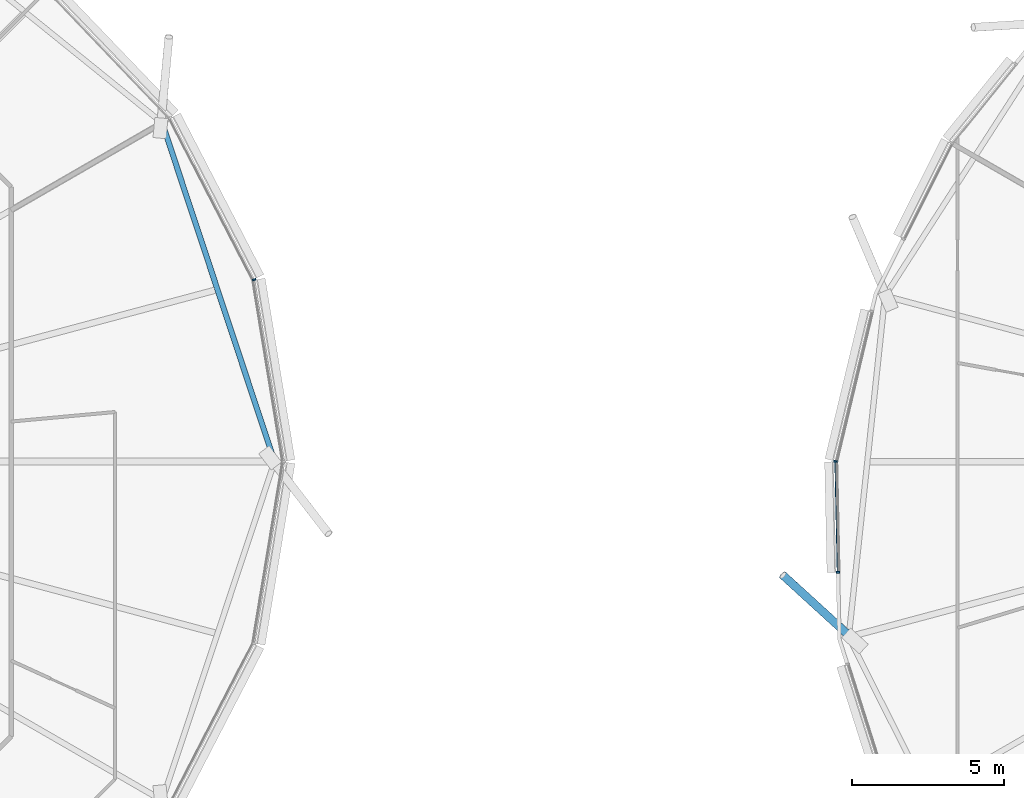
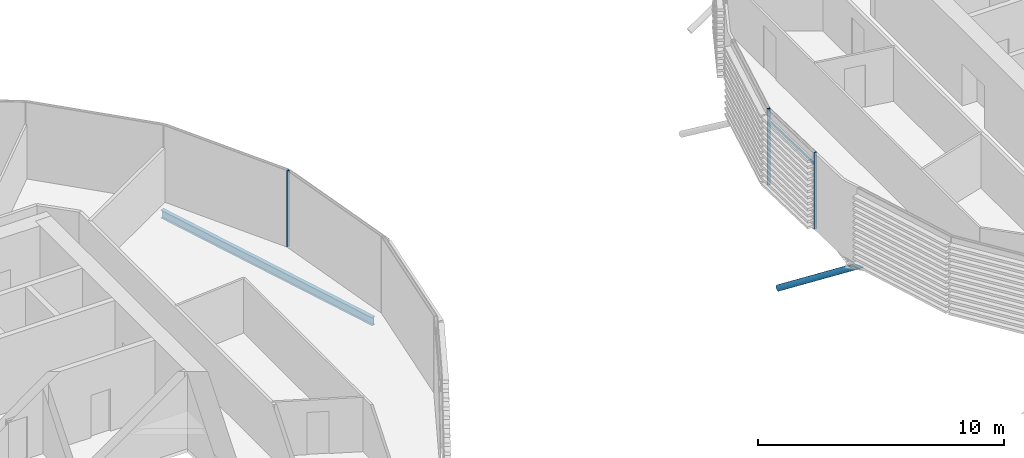
# One storey, part 8 of 39: 5 members, 1 beam, 2 elements without a shape of their own.
"""IFC4 building model written with IfcOpenShell, lengths in metres."""

from ifc_helpers import new_model, si_unit, direction, frame, origin, origin_2d, place, context, subcontext, project, spatial, rectangle, hollow_circle, i_section, extrude, clip, halfspace, material, material_profile, profile_set, type_object, element, aggregate, save


model = new_model("IFC4")

# Units and contexts
model_context = context("Model", 3, precision=1e-05, world=origin(), true_north=direction((0.0, 1.0)))
body_context = subcontext(model_context, "Body", "Model", "MODEL_VIEW")
ifc_project = project(units=[si_unit("LENGTHUNIT", "METRE"), si_unit("AREAUNIT", "SQUARE_METRE"), si_unit("VOLUMEUNIT", "CUBIC_METRE"), si_unit("PLANEANGLEUNIT", "RADIAN"), si_unit("MASSUNIT", "GRAM", prefix="KILO")], contexts=[model_context])

# Site, building, storey
site_placement = place(None, origin())
site = spatial("IfcSite", under=ifc_project, at=site_placement, CompositionType="ELEMENT")
building_placement = place(site_placement, origin())
building = spatial("IfcBuilding", under=site, at=building_placement, Name="Rimbun Link Towers", CompositionType="ELEMENT")
storey_placement = place(building_placement, frame((0.0, 0.0, 112.0)))
storey = spatial("IfcBuildingStorey", under=building, at=storey_placement, Name="L27", CompositionType="ELEMENT", Elevation=112.0)

# Curtain wall, member
ifc_material_1 = material(Name="Aluminium 6063-T6 and low-iron glass", Category="aluminium")
curtain_wall_type = type_object("IfcCurtainWallType", Name="CW1-Z2 unitised vision wall (zone 2)", PredefinedType="NOTDEFINED", material=ifc_material_1)
curtain_wall_1_placement = place(storey_placement, origin())
curtain_wall_1 = element("IfcCurtainWall", 1, at=curtain_wall_1_placement, inside=storey, type_object=curtain_wall_type, Name="CW1 L27 T1", PredefinedType="NOTDEFINED")
ifc_material_2 = material(Name="Aluminium 6063-T6", Category="aluminium")
ifc_material_profile_1 = material_profile(ifc_material_2, rectangle(XDim=0.1201171875, YDim=0.06005859375, at=origin_2d()), Name="MULLION 60X120")
ifc_profile_set_1 = profile_set([ifc_material_profile_1], Name="Aluminium 6063-T6")
member_type_1 = type_object("IfcMemberType", Name="CW1 mullion 60X120", PredefinedType="MULLION", material=ifc_profile_set_1)
member_1_placement = place(storey_placement, frame((-9.39306640625, 5.994140625, 0.0), z_axis=(0.0, 0.0, 1.0), x_axis=(0.949162565402, 0.314786315522, 0.0)))
member_1 = element("IfcMember", 2, at=member_1_placement, type_object=member_type_1, Name="CW1 mullion", PredefinedType="MULLION", context=body_context, shape_type="SweptSolid", body=[
    extrude(rectangle(XDim=0.1201171875, YDim=0.06005859375, at=origin_2d()), origin(), (0.0, 0.0, 1.0), 3.800048828125),
])
aggregate(curtain_wall_1, [member_1])

# Curtain wall, members
curtain_wall_2_placement = place(storey_placement, origin())
curtain_wall_2 = element("IfcCurtainWall", 3, at=curtain_wall_2_placement, inside=storey, type_object=curtain_wall_type, Name="CW1 L27 T2", PredefinedType="NOTDEFINED")
member_2_placement = place(storey_placement, frame((9.7607421875, 0.00634765625, 0.0), z_axis=(0.0, 0.0, 1.0), x_axis=(-0.994298543645, 0.106632106355, 0.0)))
member_2 = element("IfcMember", 4, at=member_2_placement, type_object=member_type_1, Name="CW1 mullion", PredefinedType="MULLION", context=body_context, shape_type="SweptSolid", body=[
    extrude(rectangle(XDim=0.1201171875, YDim=0.06005859375, at=origin_2d()), origin(), (0.0, 0.0, 1.0), 3.800048828125),
])
member_3_placement = place(storey_placement, frame((9.837158203125, -3.644775390625, 0.0), z_axis=(0.0, 0.0, 1.0), x_axis=(-0.999778144708, -0.021063270517, 0.0)))
member_3 = element("IfcMember", 5, at=member_3_placement, type_object=member_type_1, Name="CW1 mullion", PredefinedType="MULLION", context=body_context, shape_type="SweptSolid", body=[
    extrude(rectangle(XDim=0.1201171875, YDim=0.06005859375, at=origin_2d()), origin(), (0.0, 0.0, 1.0), 3.800048828125),
])
ifc_material_3 = material(Name="Aluminium 6063-T6", Category="aluminium")
ifc_material_profile_2 = material_profile(ifc_material_3, rectangle(XDim=0.06005859375, YDim=0.1201171875, at=origin_2d()), Name="TRANSOM 60X120")
ifc_profile_set_2 = profile_set([ifc_material_profile_2], Name="Aluminium 6063-T6")
member_type_2 = type_object("IfcMemberType", Name="CW1 transom 60X120", PredefinedType="USERDEFINED", material=ifc_profile_set_2)
member_4_placement = place(storey_placement, frame((9.838623046875, -3.61474609375, 3.199951171875), z_axis=(-0.021115334814, 0.999777046464, 0.0), x_axis=(-0.999777046464, -0.021115334814, 0.0)))
member_4 = element("IfcMember", 6, at=member_4_placement, type_object=member_type_2, Name="CW1 transom", ObjectType="TRANSOM", PredefinedType="USERDEFINED", context=body_context, shape_type="SweptSolid", body=[
    extrude(rectangle(XDim=0.06005859375, YDim=0.1201171875, at=origin_2d()), origin(), (0.0, 0.0, 1.0), 3.584228515625),
])
aggregate(curtain_wall_2, [member_2, member_3, member_4])

# Member
ifc_material_4 = material(Name="Steel S355J2H", Category="steel")
ifc_material_profile_3 = material_profile(ifc_material_4, hollow_circle(Radius=0.136474609375, WallThickness=0.012451171875, at=origin_2d()), Name="CHS 273x12.5")
ifc_profile_set_3 = profile_set([ifc_material_profile_3], Name="Steel S355J2H")
member_type_3 = type_object("IfcMemberType", Name="Floor edge link CHS 273x12.5", PredefinedType="BRACE", material=ifc_profile_set_3)
member_5_placement = place(storey_placement, frame((10.240478515625, -5.763427734375, -0.81640625), z_axis=(-0.665622780281, 0.60725019753, -0.433812761421), x_axis=(-0.673971304039, -0.738757525397, 0.0)))
element("IfcMember", 7, at=member_5_placement, inside=storey, type_object=member_type_3, Name="Floor edge link T2 L27 10", PredefinedType="BRACE", context=body_context, shape_type="Clipping", body=[
    clip(extrude(hollow_circle(Radius=0.136474609375, WallThickness=0.012451171875, at=origin_2d()), frame((0.0, 0.0, -0.590087890625)), (0.0, 0.0, 1.0), 3.931884765625), halfspace(frame((0.0, 0.0, -0.279541015625), z_axis=(0.0, 0.901003045516, -0.433812761421)), False)),
])

# Beam
ifc_material_5 = material(Name="Steel S355J2", Category="steel")
ifc_material_profile_4 = material_profile(ifc_material_5, i_section(OverallWidth=0.177978515625, OverallDepth=0.406494140625, WebThickness=0.0078125, FlangeThickness=0.0126953125, at=origin_2d()), Name="UB 406x178x60")
ifc_profile_set_4 = profile_set([ifc_material_profile_4], Name="Steel S355J2")
beam_type = type_object("IfcBeamType", Name="UB 406x178x60", PredefinedType="BEAM", material=ifc_profile_set_4)
beam_placement = place(storey_placement, frame((-8.7587890625, 0.11474609375, -0.36328125), z_axis=(-0.314792777139, 0.949160422406, 0.0), x_axis=(-0.949160422406, -0.314792777139, 0.0)))
element("IfcBeam", 8, at=beam_placement, inside=storey, type_object=beam_type, Name="Edge beam T1 L27 00-02", PredefinedType="BEAM", context=body_context, shape_type="SweptSolid", body=[
    extrude(i_section(OverallWidth=0.177978515625, OverallDepth=0.406494140625, WebThickness=0.0078125, FlangeThickness=0.0126953125, at=origin_2d()), origin(), (0.0, 0.0, 1.0), 11.5380859375),
])

save(model, "model.ifc")
